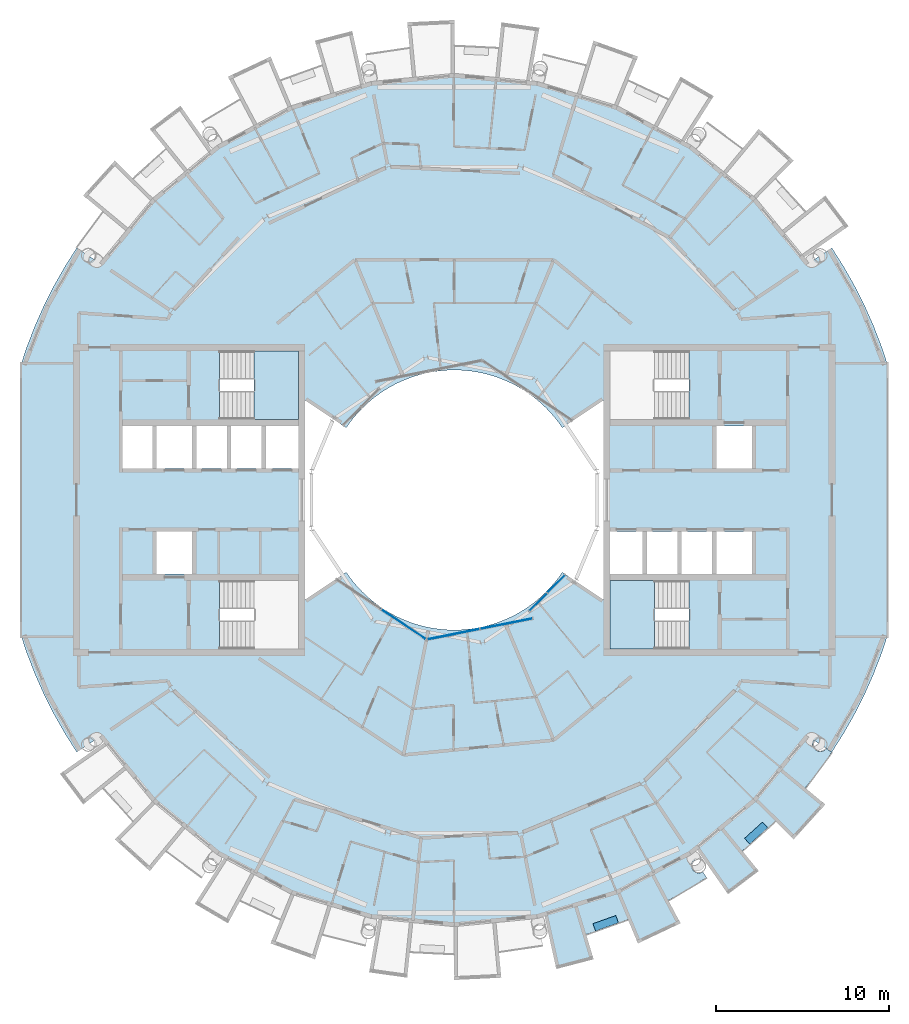
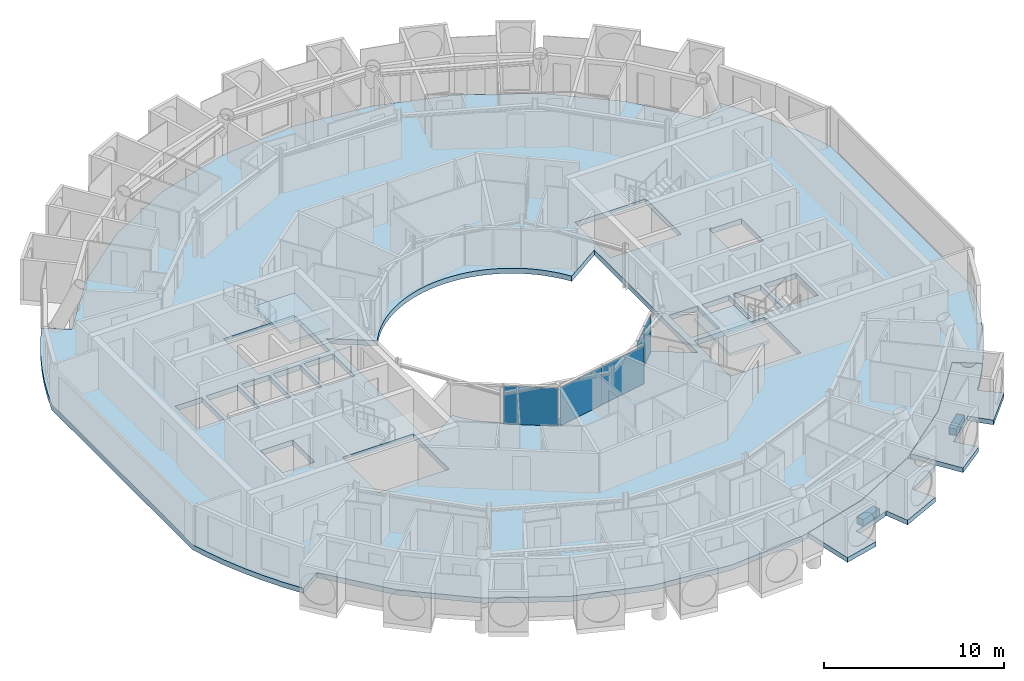
# One storey, part 11 of 27: 7 slabs, 5 plates, 5 elements without a shape of their own.
"""IFC4 building model written with IfcOpenShell, lengths in metres."""

import ifcopenshell
import ifcopenshell.guid

model = None  # the IFC model being written
_history = None  # IfcOwnerHistory: only IFC2X3 demands one
_inside = {}  # id of a spatial element -> (the spatial element, [elements in it])
_under = {}  # id of a project, library or spatial element -> (it, [spatial elements below it])
_declared = {}  # id of a project -> (the project, [libraries it declares])
_typed = {}  # id of a type object -> (the type object, [elements of that type])
_made_of = {}  # id of a material, layer set ... -> (it, [elements and type objects made of it])


def new_model(schema):
    """Start an empty IFC model of exactly this schema.

    Asked for "IFC4X3", IfcOpenShell would pick the latest addendum, in which some entities
    have other attributes; the version numbers below select the first issue.
    IFC2X3 requires an IfcOwnerHistory on every rooted entity: one is made here for all.
    """
    global model, _history
    if schema == "IFC4X3":
        model = ifcopenshell.file(schema_version=(4, 3, 0, 0))
    else:
        model = ifcopenshell.file(schema=schema)
    _inside.clear()
    _under.clear()
    _declared.clear()
    _typed.clear()
    _made_of.clear()
    _history = None
    if model.schema == "IFC2X3":
        org = make("IfcOrganization", Name="unknown")
        user = make(
            "IfcPersonAndOrganization",
            ThePerson=make("IfcPerson", FamilyName="unknown"),
            TheOrganization=org,
        )
        app = make(
            "IfcApplication",
            ApplicationDeveloper=org,
            Version="unknown",
            ApplicationFullName="unknown",
            ApplicationIdentifier="unknown",
        )
        _history = make(
            "IfcOwnerHistory",
            OwningUser=user,
            OwningApplication=app,
            ChangeAction="ADDED",
            CreationDate=0,
        )
    return model


def make(cls, **values):
    """One entity of the class cls with the attributes given. An attribute that is None is left unset."""
    return model.create_entity(
        cls, **{name: value for name, value in values.items() if value is not None}
    )


def rooted(cls, **values):
    """An entity with a GlobalId (a new one), such as an element, a storey or a relation."""
    return make(cls, GlobalId=ifcopenshell.guid.new(), OwnerHistory=_history, **values)


def si_unit(unit_type, name, prefix=None):
    """IfcSIUnit, for example si_unit("LENGTHUNIT", "METRE", prefix="MILLI")."""
    return make("IfcSIUnit", UnitType=unit_type, Prefix=prefix, Name=name)


def assignment(units):
    """IfcUnitAssignment: the units of a project."""
    return None if units is None else make("IfcUnitAssignment", Units=units)


def point(xyz):
    """IfcCartesianPoint."""
    return None if xyz is None else make("IfcCartesianPoint", Coordinates=xyz)


def direction(xyz):
    """IfcDirection."""
    return None if xyz is None else make("IfcDirection", DirectionRatios=xyz)


def frame(location, z_axis=None, x_axis=None):
    """IfcAxis2Placement3D, a coordinate frame: its origin and axes. An axis left out is left unset."""
    return make(
        "IfcAxis2Placement3D",
        Location=point(location),
        Axis=direction(z_axis),
        RefDirection=direction(x_axis),
    )


def frame_2d(location, x_axis=None):
    """IfcAxis2Placement2D, a coordinate frame in the plane: its origin and x axis."""
    return make(
        "IfcAxis2Placement2D", Location=point(location), RefDirection=direction(x_axis)
    )


def origin():
    """The frame at (0, 0, 0) with its axes left unset."""
    return frame((0.0, 0.0, 0.0))


def origin_2d():
    """The frame at (0, 0) in the plane with its x axis left unset."""
    return frame_2d((0.0, 0.0))


def place(relative_to, where):
    """IfcLocalPlacement: puts the frame where relative to a parent placement (None: the world)."""
    return make(
        "IfcLocalPlacement", PlacementRelTo=relative_to, RelativePlacement=where
    )


def context(
    kind, dimensions, precision=None, world=None, true_north=None, identifier=None
):
    """IfcGeometricRepresentationContext, for example the 3D "Model" context."""
    return make(
        "IfcGeometricRepresentationContext",
        ContextIdentifier=identifier,
        ContextType=kind,
        CoordinateSpaceDimension=dimensions,
        Precision=precision,
        WorldCoordinateSystem=world,
        TrueNorth=true_north,
    )


def subcontext(parent, identifier, kind, view, scale=None):
    """IfcGeometricRepresentationSubContext, for example "Body" below "Model"."""
    return make(
        "IfcGeometricRepresentationSubContext",
        ContextIdentifier=identifier,
        ContextType=kind,
        ParentContext=parent,
        TargetScale=scale,
        TargetView=view,
    )


def project(units=None, contexts=None):
    """IfcProject with its units and contexts."""
    return rooted(
        "IfcProject",
        Name="project",
        RepresentationContexts=contexts,
        UnitsInContext=assignment(units),
    )


def spatial(cls, under=None, at=None, **own):
    """A site, building, storey or space (cls), placed at a placement, below another one or the project."""
    s = rooted(cls, ObjectPlacement=at, **own)
    if under is not None:
        _under.setdefault(under.id(), (under, []))[1].append(s)
    return s


def polyline(points):
    """IfcPolyline through the points."""
    return make("IfcPolyline", Points=[point(p) for p in points])


def profile(cls, at=None, kind="AREA", **sizes):
    """A parametric profile (cls). Its sizes go by their IFC names, for example OverallWidth=200.0."""
    return make(cls, ProfileType=kind, Position=at, **sizes)


def rectangle(**sizes):
    """IfcRectangleProfileDef."""
    return profile("IfcRectangleProfileDef", **sizes)


def outline(outer, holes=None, kind="AREA"):
    """IfcArbitraryClosedProfileDef: a profile drawn as a closed curve; with holes, ...WithVoids."""
    if holes is None:
        return make("IfcArbitraryClosedProfileDef", ProfileType=kind, OuterCurve=outer)
    return make(
        "IfcArbitraryProfileDefWithVoids",
        ProfileType=kind,
        OuterCurve=outer,
        InnerCurves=holes,
    )


def extrude(swept, where, along, depth):
    """IfcExtrudedAreaSolid: the profile swept, set in the frame where, extruded along a direction by depth."""
    return make(
        "IfcExtrudedAreaSolid",
        SweptArea=swept,
        Position=where,
        ExtrudedDirection=direction(along),
        Depth=depth,
    )


def shape(context_of_items, identifier, shape_type, items):
    """IfcShapeRepresentation: the items that make up one representation, for example the "Body"."""
    return make(
        "IfcShapeRepresentation",
        ContextOfItems=context_of_items,
        RepresentationIdentifier=identifier,
        RepresentationType=shape_type,
        Items=items,
    )


def material(Name=None, Category=None):
    """IfcMaterial."""
    return make("IfcMaterial", Name=Name, Category=Category)


def layer(
    of_material, thickness, ventilated=None, Name=None, Category=None, Priority=None
):
    """IfcMaterialLayer: one layer of a wall or slab, of a material (None: an air gap)."""
    return make(
        "IfcMaterialLayer",
        Material=of_material,
        LayerThickness=thickness,
        IsVentilated=ventilated,
        Name=Name,
        Category=Category,
        Priority=Priority,
    )


def layer_set(layers, Name=None):
    """IfcMaterialLayerSet."""
    return make("IfcMaterialLayerSet", MaterialLayers=layers, LayerSetName=Name)


def made_of(thing, what):
    """Note that an element or type object is made of a material, layer set ...; save() writes the relation."""
    if what is not None:
        _made_of.setdefault(what.id(), (what, []))[1].append(thing)
    return thing


def type_object(cls, material=None, **own):
    """A type object (cls), such as IfcWallType, which elements share."""
    return made_of(rooted(cls, **own), material)


def element(
    cls,
    number,
    at=None,
    inside=None,
    cuts=None,
    type_object=None,
    material=None,
    context=None,
    identifier="Body",
    shape_type=None,
    held_by="IfcProductDefinitionShape",
    body=None,
    shapes=None,
    **own,
):
    """One element of the class cls, such as IfcWall. Its Tag is "e" and its number.

    at: its placement. inside: the storey or other place that contains it. cuts: it is an
    opening in that element (IfcRelVoidsElement). A single representation is given by context,
    identifier, shape_type and body (its items); several are given by shapes. held_by: the class
    of the entity that holds the representations. save() writes the other relations.
    """
    e = rooted(cls, Tag="e%d" % number, ObjectPlacement=at, **own)
    if body is not None:
        shapes = [shape(context, identifier, shape_type, body)]
    if shapes is not None:
        e.Representation = make(held_by, Representations=shapes)
    if inside is not None:
        _inside.setdefault(inside.id(), (inside, []))[1].append(e)
    if cuts is not None:
        rooted(
            "IfcRelVoidsElement", RelatingBuildingElement=cuts, RelatedOpeningElement=e
        )
    if type_object is not None:
        _typed.setdefault(type_object.id(), (type_object, []))[1].append(e)
    return made_of(e, material)


def aggregate(whole, parts):
    """IfcRelAggregates: a whole, such as a stair, and the parts it consists of."""
    return rooted("IfcRelAggregates", RelatingObject=whole, RelatedObjects=parts)


def save(model, path):
    """Write the relations noted so far, then the file.

    IfcRelAggregates (storeys below a building ...), IfcRelContainedInSpatialStructure (elements
    in a storey), IfcRelDefinesByType, IfcRelAssociatesMaterial and IfcRelDeclares: one each for
    every whole, place, type object, material and project.
    """
    for whole, parts in _under.values():
        aggregate(whole, parts)
    for where, things in _inside.values():
        rooted(
            "IfcRelContainedInSpatialStructure",
            RelatedElements=things,
            RelatingStructure=where,
        )
    for kind, things in _typed.values():
        rooted("IfcRelDefinesByType", RelatedObjects=things, RelatingType=kind)
    for what, things in _made_of.values():
        rooted("IfcRelAssociatesMaterial", RelatedObjects=things, RelatingMaterial=what)
    for by, libraries in _declared.values():
        rooted("IfcRelDeclares", RelatingContext=by, RelatedDefinitions=libraries)
    model.write(path)


model = new_model("IFC4")

# Units and contexts
model_context = context("Model", 3, precision=1e-05, world=origin(), true_north=direction((0.0, 1.0)))
body_context = subcontext(model_context, "Body", "Model", "MODEL_VIEW")
ifc_project = project(units=[si_unit("LENGTHUNIT", "METRE"), si_unit("AREAUNIT", "SQUARE_METRE"), si_unit("VOLUMEUNIT", "CUBIC_METRE"), si_unit("PLANEANGLEUNIT", "RADIAN"), si_unit("MASSUNIT", "GRAM", prefix="KILO")], contexts=[model_context])

# Site, building, storey
site_placement = place(None, origin())
site = spatial("IfcSite", under=ifc_project, at=site_placement, CompositionType="ELEMENT")
building_placement = place(site_placement, origin())
building = spatial("IfcBuilding", under=site, at=building_placement, Name="Maasbend Ring Residences", CompositionType="ELEMENT")
storey_placement = place(building_placement, frame((0.0, 0.0, 243.199951171875)))
storey = spatial("IfcBuildingStorey", under=building, at=storey_placement, Name="L70", CompositionType="ELEMENT", Elevation=243.199951171875)

# Stair, slab
ifc_material_1 = material(Name="Concrete C40/50", Category="concrete")
stair_type = type_object("IfcStairType", Name="CORE STAIR 18 RISERS", PredefinedType="HALF_TURN_STAIR", material=ifc_material_1)
stair_1_placement = place(storey_placement, origin())
stair_1 = element("IfcStair", 1, at=stair_1_placement, inside=storey, type_object=stair_type, Name="L70 Exit stair ST-E2", PredefinedType="HALF_TURN_STAIR")
ifc_material_2 = material(Name="Concrete C40/50", Category="concrete")
ifc_layer_1 = layer(ifc_material_2, 0.199951171875)
ifc_layer_set_1 = layer_set([ifc_layer_1], Name="Concrete C40/50")
slab_type_1 = type_object("IfcSlabType", Name="CORE STAIR LANDING 200", PredefinedType="LANDING", material=ifc_layer_set_1)
slab_1_placement = place(storey_placement, frame((0.0, 0.0, 1.324951171875)))
slab_1 = element("IfcSlab", 2, at=slab_1_placement, type_object=slab_type_1, Name="ST-E2 landing 1", PredefinedType="LANDING", context=body_context, shape_type="SweptSolid", body=[
    extrude(outline(polyline([(11.550048828125, -4.64990234375), (9.0, -4.64990234375), (9.0, -8.60009765625), (11.550048828125, -8.60009765625), (11.550048828125, -4.64990234375)])), origin(), (0.0, 0.0, 1.0), 0.2001953125),
])
aggregate(stair_1, [slab_1])

stair_2_placement = place(storey_placement, origin())
stair_2 = element("IfcStair", 3, at=stair_2_placement, inside=storey, type_object=stair_type, Name="L70 Exit stair ST-W2", PredefinedType="HALF_TURN_STAIR")
slab_2_placement = place(storey_placement, frame((0.0, 0.0, 1.324951171875)))
slab_2 = element("IfcSlab", 4, at=slab_2_placement, type_object=slab_type_1, Name="ST-W2 landing 1", PredefinedType="LANDING", context=body_context, shape_type="SweptSolid", body=[
    extrude(outline(polyline([(-11.550048828125, 4.64990234375), (-9.0, 4.64990234375), (-9.0, 8.60009765625), (-11.550048828125, 8.60009765625), (-11.550048828125, 4.64990234375)])), origin(), (0.0, 0.0, 1.0), 0.2001953125),
])
aggregate(stair_2, [slab_2])

# Curtain wall, plate
ifc_material_3 = material(Name="Aluminium and clear glass", Category="aluminium")
ifc_layer_2 = layer(ifc_material_3, 0.179931640625)
ifc_layer_set_2 = layer_set([ifc_layer_2], Name="CW-W")
curtain_wall_type = type_object("IfcCurtainWallType", Name="CW-W", PredefinedType="NOTDEFINED", material=ifc_layer_set_2)
curtain_wall_1_placement = place(storey_placement, origin())
curtain_wall_1 = element("IfcCurtainWall", 5, at=curtain_wall_1_placement, inside=storey, type_object=curtain_wall_type, Name="Well curtain wall S1", PredefinedType="NOTDEFINED")
ifc_material_4 = material(Name="Glass clear laminated", Category="glass")
ifc_layer_3 = layer(ifc_material_4, 0.031982421875)
ifc_layer_set_3 = layer_set([ifc_layer_3], Name="CWP-W")
plate_type = type_object("IfcPlateType", Name="CWP-W", PredefinedType="CURTAIN_PANEL", material=ifc_layer_set_3)
plate_1_placement = place(storey_placement, frame((-2.922119140625, -7.17578125, 0.0), z_axis=(0.0, 0.0, 1.0), x_axis=(0.831469612303, -0.55557023302, 0.0)))
plate_1 = element("IfcPlate", 6, at=plate_1_placement, type_object=plate_type, Name="Glass panel well face", PredefinedType="CURTAIN_PANEL", context=body_context, shape_type="SweptSolid", body=[
    extrude(rectangle(XDim=3.053955078125, YDim=0.031982421875, at=origin_2d()), origin(), (0.0, 0.0, 1.0), 2.580078125),
])
aggregate(curtain_wall_1, [plate_1])

# Curtain wall, plates
curtain_wall_2_placement = place(storey_placement, origin())
curtain_wall_2 = element("IfcCurtainWall", 7, at=curtain_wall_2_placement, inside=storey, type_object=curtain_wall_type, Name="Well curtain wall S2", PredefinedType="NOTDEFINED")
plate_2_placement = place(storey_placement, frame((-0.04638671875, -7.747802734375, 0.0), z_axis=(0.0, 0.0, 1.0), x_axis=(0.980785280403, 0.195090322016, 0.0)))
plate_2 = element("IfcPlate", 8, at=plate_2_placement, type_object=plate_type, Name="Glass panel well face", PredefinedType="CURTAIN_PANEL", context=body_context, shape_type="SweptSolid", body=[
    extrude(rectangle(XDim=3.053955078125, YDim=0.031982421875, at=origin_2d()), origin(), (0.0, 0.0, 1.0), 2.580078125),
])
plate_3_placement = place(storey_placement, frame((3.0078125, -7.140380859375, 0.0), z_axis=(0.0, 0.0, 1.0), x_axis=(0.980785280403, 0.195090322016, 0.0)))
plate_3 = element("IfcPlate", 9, at=plate_3_placement, type_object=plate_type, Name="Glass panel well face", PredefinedType="CURTAIN_PANEL", context=body_context, shape_type="SweptSolid", body=[
    extrude(rectangle(XDim=3.053955078125, YDim=0.031982421875, at=origin_2d()), origin(), (0.0, 0.0, 1.0), 2.580078125),
])
aggregate(curtain_wall_2, [plate_2, plate_3])

curtain_wall_3_placement = place(storey_placement, origin())
curtain_wall_3 = element("IfcCurtainWall", 10, at=curtain_wall_3_placement, inside=storey, type_object=curtain_wall_type, Name="Well curtain wall S3", PredefinedType="NOTDEFINED")
plate_4_placement = place(storey_placement, frame((4.84375, -5.89013671875, 0.0), z_axis=(0.0, 0.0, 1.0), x_axis=(0.707106781187, 0.707106781187, 0.0)))
plate_4 = element("IfcPlate", 11, at=plate_4_placement, type_object=plate_type, Name="Glass panel well face", PredefinedType="CURTAIN_PANEL", context=body_context, shape_type="SweptSolid", body=[
    extrude(rectangle(XDim=1.419677734375, YDim=0.031982421875, at=origin_2d()), origin(), (0.0, 0.0, 1.0), 2.580078125),
])
plate_5_placement = place(storey_placement, frame((5.89013671875, -4.84375, 0.0), z_axis=(0.0, 0.0, 1.0), x_axis=(0.707106781187, 0.707106781187, 0.0)))
plate_5 = element("IfcPlate", 12, at=plate_5_placement, type_object=plate_type, Name="Glass panel well face", PredefinedType="CURTAIN_PANEL", context=body_context, shape_type="SweptSolid", body=[
    extrude(rectangle(XDim=1.419677734375, YDim=0.031982421875, at=origin_2d()), origin(), (0.0, 0.0, 1.0), 2.580078125),
])
aggregate(curtain_wall_3, [plate_4, plate_5])

# Slabs
ifc_material_5 = material(Name="Planting with climbing greenery")
ifc_layer_4 = layer(ifc_material_5, 0.449951171875)
ifc_layer_set_4 = layer_set([ifc_layer_4], Name="PLANTER-LG")
slab_type_2 = type_object("IfcSlabType", Name="PLANTER-LG", PredefinedType="USERDEFINED", material=ifc_layer_set_4)
slab_3_placement = place(storey_placement, frame((0.0, 0.0, -0.030029296875)))
element("IfcSlab", 13, at=slab_3_placement, inside=storey, type_object=slab_type_2, Name="Planter with climbing greenery 4", ObjectType="PLANTER", PredefinedType="USERDEFINED", context=body_context, shape_type="SweptSolid", body=[
    extrude(outline(polyline([(8.156982421875, -24.875), (9.47509765625, -24.403076171875), (9.322998046875, -23.97900390625), (8.0048828125, -24.450927734375), (8.156982421875, -24.875)])), origin(), (0.0, 0.0, 1.0), 0.4501953125),
])
slab_4_placement = place(storey_placement, frame((0.0, 0.0, -0.030029296875)))
element("IfcSlab", 14, at=slab_4_placement, inside=storey, type_object=slab_type_2, Name="Planter with climbing greenery 5", ObjectType="PLANTER", PredefinedType="USERDEFINED", context=body_context, shape_type="SweptSolid", body=[
    extrude(outline(polyline([(17.054931640625, -19.860107421875), (18.092041015625, -18.9189453125), (17.7900390625, -18.5859375), (16.7529296875, -19.52587890625), (17.054931640625, -19.860107421875)])), origin(), (0.0, 0.0, 1.0), 0.4501953125),
])
ifc_material_6 = material(Name="Concrete C40/50", Category="concrete")
ifc_layer_5 = layer(ifc_material_6, 0.35009765625)
ifc_layer_set_5 = layer_set([ifc_layer_5], Name="Concrete C40/50")
slab_type_3 = type_object("IfcSlabType", Name="Post-tensioned flat plate 350", PredefinedType="FLOOR", material=ifc_layer_set_5)
slab_5_placement = place(storey_placement, frame((0.0, 0.0, -0.349853515625)))
element("IfcSlab", 15, at=slab_5_placement, inside=storey, type_object=slab_type_3, Name="Floor slab L70", PredefinedType="FLOOR", context=body_context, shape_type="SweptSolid", body=[
    extrude(outline(polyline([(21.784423828125, -14.555908203125), (22.472412109375, -13.469482421875), (23.106201171875, -12.3505859375), (23.6845703125, -11.201904296875), (24.20556640625, -10.0263671875), (24.66845703125, -8.826416015625), (25.0, -7.822998046875), (25.0, 7.822998046875), (24.66845703125, 8.826416015625), (24.20556640625, 10.0263671875), (23.6845703125, 11.201904296875), (23.106201171875, 12.3505859375), (22.472412109375, 13.469482421875), (21.784423828125, 14.555908203125), (20.37109375, 13.611572265625), (17.32421875, 17.32421875), (13.611572265625, 20.37109375), (9.375732421875, 22.635009765625), (4.77978515625, 24.029296875), (0.0, 24.5), (-4.77978515625, 24.029296875), (-9.375732421875, 22.635009765625), (-13.611572265625, 20.37109375), (-17.32421875, 17.32421875), (-20.37109375, 13.611572265625), (-21.784423828125, 14.555908203125), (-22.472412109375, 13.469482421875), (-23.106201171875, 12.3505859375), (-23.6845703125, 11.201904296875), (-24.20556640625, 10.0263671875), (-24.66845703125, 8.826416015625), (-25.0, 7.822998046875), (-25.0, -7.822998046875), (-24.66845703125, -8.826416015625), (-24.20556640625, -10.0263671875), (-23.6845703125, -11.201904296875), (-23.106201171875, -12.3505859375), (-22.472412109375, -13.469482421875), (-21.784423828125, -14.555908203125), (-20.37109375, -13.611572265625), (-17.32421875, -17.32421875), (-13.611572265625, -20.37109375), (-13.611572265625, -20.37109375), (-9.375732421875, -22.635009765625), (-9.375732421875, -22.635009765625), (-4.77978515625, -24.029296875), (-4.77978515625, -24.029296875), (0.0, -24.5), (4.77978515625, -24.029296875), (4.77978515625, -24.029296875), (9.375732421875, -22.635009765625), (9.375732421875, -22.635009765625), (13.611572265625, -20.37109375), (13.611572265625, -20.37109375), (17.32421875, -17.32421875), (17.32421875, -17.32421875), (20.37109375, -13.611572265625), (21.784423828125, -14.555908203125)]), holes=[polyline([(15.125, 1.824951171875), (15.125, 4.27490234375), (17.175048828125, 4.27490234375), (17.175048828125, 1.824951171875), (15.125, 1.824951171875)]), polyline([(15.125, -4.27490234375), (15.125, -1.824951171875), (17.175048828125, -1.824951171875), (17.175048828125, -4.27490234375), (15.125, -4.27490234375)]), polyline([(13.125, -4.27490234375), (13.125, -1.824951171875), (14.875, -1.824951171875), (14.875, -4.27490234375), (13.125, -4.27490234375)]), polyline([(13.550048828125, 8.60009765625), (13.550048828125, 4.64990234375), (9.0, 4.64990234375), (9.0, 8.60009765625), (13.550048828125, 8.60009765625)]), polyline([(13.550048828125, -4.64990234375), (13.550048828125, -8.60009765625), (9.0, -8.60009765625), (9.0, -4.64990234375), (13.550048828125, -4.64990234375)]), polyline([(11.125, -4.27490234375), (11.125, -1.824951171875), (12.875, -1.824951171875), (12.875, -4.27490234375), (11.125, -4.27490234375)]), polyline([(9.0, -4.27490234375), (9.0, -1.824951171875), (10.875, -1.824951171875), (10.875, -4.27490234375), (9.0, -4.27490234375)]), polyline([(6.024169921875, 4.4677734375), (6.236083984375, 4.166748046875), (8.60009765625, 5.746337890625), (8.60009765625, -5.746337890625), (6.236083984375, -4.166748046875), (6.024169921875, -4.4677734375), (5.797607421875, -4.7578125), (5.55712890625, -5.03662109375), (5.30322265625, -5.30322265625), (5.03662109375, -5.55712890625), (4.7578125, -5.797607421875), (4.4677734375, -6.024169921875), (4.166748046875, -6.236083984375), (3.855712890625, -6.43310546875), (3.535400390625, -6.614501953125), (3.206787109375, -6.77978515625), (2.8701171875, -6.92919921875), (2.526611328125, -7.0615234375), (2.177001953125, -7.177001953125), (1.822509765625, -7.275146484375), (1.463134765625, -7.35595703125), (1.1005859375, -7.418701171875), (0.735107421875, -7.4638671875), (0.367919921875, -7.490966796875), (0.0, -7.5), (-0.367919921875, -7.490966796875), (-0.735107421875, -7.4638671875), (-1.1005859375, -7.418701171875), (-1.463134765625, -7.35595703125), (-1.822509765625, -7.275146484375), (-2.177001953125, -7.177001953125), (-2.526611328125, -7.0615234375), (-2.8701171875, -6.92919921875), (-3.206787109375, -6.77978515625), (-3.535400390625, -6.614501953125), (-3.855712890625, -6.43310546875), (-4.166748046875, -6.236083984375), (-4.4677734375, -6.024169921875), (-4.7578125, -5.797607421875), (-5.03662109375, -5.55712890625), (-5.30322265625, -5.30322265625), (-5.55712890625, -5.03662109375), (-5.797607421875, -4.7578125), (-6.024169921875, -4.4677734375), (-6.236083984375, -4.166748046875), (-8.60009765625, -5.746337890625), (-8.60009765625, 5.746337890625), (-6.236083984375, 4.166748046875), (-6.024169921875, 4.4677734375), (-5.797607421875, 4.7578125), (-5.55712890625, 5.03662109375), (-5.30322265625, 5.30322265625), (-5.03662109375, 5.55712890625), (-4.7578125, 5.797607421875), (-4.4677734375, 6.024169921875), (-4.166748046875, 6.236083984375), (-3.855712890625, 6.43310546875), (-3.535400390625, 6.614501953125), (-3.206787109375, 6.77978515625), (-2.8701171875, 6.92919921875), (-2.526611328125, 7.0615234375), (-2.177001953125, 7.177001953125), (-1.822509765625, 7.275146484375), (-1.463134765625, 7.35595703125), (-1.1005859375, 7.418701171875), (-0.735107421875, 7.4638671875), (-0.367919921875, 7.490966796875), (0.0, 7.5), (0.367919921875, 7.490966796875), (0.735107421875, 7.4638671875), (1.1005859375, 7.418701171875), (1.463134765625, 7.35595703125), (1.822509765625, 7.275146484375), (2.177001953125, 7.177001953125), (2.526611328125, 7.0615234375), (2.8701171875, 6.92919921875), (3.206787109375, 6.77978515625), (3.535400390625, 6.614501953125), (3.855712890625, 6.43310546875), (4.166748046875, 6.236083984375), (4.4677734375, 6.024169921875), (4.7578125, 5.797607421875), (5.03662109375, 5.55712890625), (5.30322265625, 5.30322265625), (5.55712890625, 5.03662109375), (5.797607421875, 4.7578125), (6.024169921875, 4.4677734375)]), polyline([(-13.550048828125, 4.64990234375), (-13.550048828125, 8.60009765625), (-9.0, 8.60009765625), (-9.0, 4.64990234375), (-13.550048828125, 4.64990234375)]), polyline([(-9.0, -8.60009765625), (-13.550048828125, -8.60009765625), (-13.550048828125, -4.64990234375), (-9.0, -4.64990234375), (-9.0, -8.60009765625)]), polyline([(-9.0, 4.27490234375), (-9.0, 1.824951171875), (-10.875, 1.824951171875), (-10.875, 4.27490234375), (-9.0, 4.27490234375)]), polyline([(-11.125, 4.27490234375), (-11.125, 1.824951171875), (-12.875, 1.824951171875), (-12.875, 4.27490234375), (-11.125, 4.27490234375)]), polyline([(-13.125, 4.27490234375), (-13.125, 1.824951171875), (-14.875, 1.824951171875), (-14.875, 4.27490234375), (-13.125, 4.27490234375)]), polyline([(-15.125, 4.27490234375), (-15.125, 1.824951171875), (-17.175048828125, 1.824951171875), (-17.175048828125, 4.27490234375), (-15.125, 4.27490234375)]), polyline([(-15.125, -1.824951171875), (-15.125, -4.27490234375), (-17.175048828125, -4.27490234375), (-17.175048828125, -1.824951171875), (-15.125, -1.824951171875)]), polyline([(-17.425048828125, 4.27490234375), (-17.425048828125, 1.824951171875), (-19.14990234375, 1.824951171875), (-19.14990234375, 4.27490234375), (-17.425048828125, 4.27490234375)])]), origin(), (0.0, 0.0, 1.0), 0.349853515625),
])
ifc_material_7 = material(Name="Concrete C40/50", Category="concrete")
ifc_layer_6 = layer(ifc_material_7, 0.199951171875)
ifc_layer_set_6 = layer_set([ifc_layer_6], Name="Concrete C40/50")
slab_type_4 = type_object("IfcSlabType", Name="SL-LOGGIA", PredefinedType="FLOOR", material=ifc_layer_set_6)
slab_6_placement = place(storey_placement, frame((0.0, 0.0, -0.349853515625)))
element("IfcSlab", 16, at=slab_6_placement, inside=storey, type_object=slab_type_4, Name="Loggia floor 1", PredefinedType="FLOOR", context=body_context, shape_type="SweptSolid", body=[
    extrude(outline(polyline([(9.3759765625, -22.635009765625), (11.493896484375, -21.5029296875), (13.611083984375, -20.37109375), (13.611083984375, -20.37109375), (13.611083984375, -20.37109375), (13.885986328125, -20.781005859375), (13.876953125, -20.787109375), (13.868896484375, -20.79296875), (13.861083984375, -20.799072265625), (13.85400390625, -20.804931640625), (13.845947265625, -20.81103515625), (13.839111328125, -20.818115234375), (13.8310546875, -20.824951171875), (13.823974609375, -20.83203125), (13.81689453125, -20.839111328125), (13.81005859375, -20.845947265625), (13.803955078125, -20.85400390625), (13.797119140625, -20.861083984375), (13.791015625, -20.868896484375), (13.784912109375, -20.876953125), (13.779052734375, -20.885009765625), (13.77392578125, -20.89306640625), (13.76806640625, -20.902099609375), (13.762939453125, -20.909912109375), (13.758056640625, -20.9189453125), (13.7529296875, -20.927978515625), (13.748046875, -20.93701171875), (13.743896484375, -20.945068359375), (13.739990234375, -20.955078125), (13.736083984375, -20.964111328125), (13.73193359375, -20.972900390625), (13.72900390625, -20.98193359375), (13.72607421875, -20.991943359375), (13.722900390625, -21.0009765625), (13.719970703125, -21.010986328125), (13.717041015625, -21.02099609375), (13.715087890625, -21.030029296875), (13.712890625, -21.0400390625), (13.7109375, -21.050048828125), (13.708984375, -21.06005859375), (13.7080078125, -21.070068359375), (13.70703125, -21.0791015625), (13.7060546875, -21.089111328125), (13.705078125, -21.09912109375), (13.705078125, -21.10888671875), (13.705078125, -21.118896484375), (13.705078125, -21.12890625), (13.705078125, -21.138916015625), (13.7060546875, -21.14892578125), (13.70703125, -21.158935546875), (13.7080078125, -21.1689453125), (13.708984375, -21.178955078125), (13.7109375, -21.18896484375), (13.712890625, -21.198974609375), (13.715087890625, -21.2080078125), (13.717041015625, -21.218017578125), (13.719970703125, -21.22802734375), (13.722900390625, -21.237060546875), (13.72607421875, -21.2470703125), (13.72900390625, -21.256103515625), (13.73193359375, -21.26611328125), (13.736083984375, -21.27490234375), (13.739990234375, -21.283935546875), (13.743896484375, -21.29296875), (13.748046875, -21.302001953125), (13.7529296875, -21.31103515625), (13.758056640625, -21.320068359375), (13.762939453125, -21.327880859375), (13.76806640625, -21.3369140625), (13.77392578125, -21.344970703125), (13.779052734375, -21.35302734375), (13.784912109375, -21.361083984375), (13.791015625, -21.368896484375), (13.797119140625, -21.376953125), (13.803955078125, -21.385009765625), (13.81005859375, -21.39208984375), (13.81689453125, -21.39990234375), (13.823974609375, -21.406982421875), (13.8310546875, -21.4140625), (13.839111328125, -21.419921875), (13.845947265625, -21.427001953125), (13.85400390625, -21.43408203125), (13.861083984375, -21.43994140625), (13.868896484375, -21.446044921875), (13.876953125, -21.451904296875), (13.885986328125, -21.45703125), (13.89404296875, -21.462890625), (13.903076171875, -21.468017578125), (13.910888671875, -21.472900390625), (13.919921875, -21.47802734375), (13.928955078125, -21.48193359375), (13.93798828125, -21.487060546875), (13.947021484375, -21.490966796875), (13.9560546875, -21.4951171875), (13.965087890625, -21.4990234375), (13.97509765625, -21.501953125), (13.98388671875, -21.5048828125), (13.992919921875, -21.508056640625), (14.0029296875, -21.510986328125), (14.012939453125, -21.513916015625), (14.02197265625, -21.51611328125), (14.031982421875, -21.51806640625), (14.0419921875, -21.52001953125), (14.052001953125, -21.52099609375), (14.06201171875, -21.52294921875), (14.072021484375, -21.52392578125), (14.08203125, -21.52490234375), (14.092041015625, -21.52490234375), (14.10205078125, -21.52587890625), (14.111083984375, -21.52587890625), (14.12109375, -21.52587890625), (14.131103515625, -21.52490234375), (14.14111328125, -21.52490234375), (14.15087890625, -21.52392578125), (14.160888671875, -21.52294921875), (14.1708984375, -21.52099609375), (14.180908203125, -21.52001953125), (14.19091796875, -21.51806640625), (14.200927734375, -21.51611328125), (14.2099609375, -21.513916015625), (14.219970703125, -21.510986328125), (14.22998046875, -21.508056640625), (14.239013671875, -21.5048828125), (14.248046875, -21.501953125), (14.258056640625, -21.4990234375), (14.26708984375, -21.4951171875), (14.27587890625, -21.490966796875), (14.284912109375, -21.487060546875), (14.2939453125, -21.48193359375), (14.302978515625, -21.47802734375), (14.31201171875, -21.472900390625), (14.320068359375, -21.468017578125), (14.3291015625, -21.462890625), (14.3369140625, -21.45703125), (14.555908203125, -21.783935546875), (14.555908203125, -21.784912109375), (14.555908203125, -21.784912109375), (13.8349609375, -22.2490234375), (13.8349609375, -22.2490234375), (13.10009765625, -22.68994140625), (13.10009765625, -22.68994140625), (12.35107421875, -23.10595703125), (12.35107421875, -23.10595703125), (12.35107421875, -23.10595703125), (12.35107421875, -23.10595703125), (12.35107421875, -23.10595703125), (12.35107421875, -23.10595703125), (12.35107421875, -23.10595703125), (12.35107421875, -23.10595703125), (12.35107421875, -23.10595703125), (12.35107421875, -23.10595703125), (12.35107421875, -23.10595703125), (12.35107421875, -23.10693359375), (12.35107421875, -23.10693359375), (12.35107421875, -23.10693359375), (12.35107421875, -23.10693359375), (12.35107421875, -23.10693359375), (12.35107421875, -23.10693359375), (13.05810546875, -24.428955078125), (13.05810546875, -24.428955078125), (13.05810546875, -24.428955078125), (10.60009765625, -25.591064453125), (10.60009765625, -25.591064453125), (10.60009765625, -25.591064453125), (10.02587890625, -24.2060546875), (10.02587890625, -24.2060546875), (10.02587890625, -24.2060546875), (10.02587890625, -24.2060546875), (10.02587890625, -24.2060546875), (10.02587890625, -24.2060546875), (10.02587890625, -24.2060546875), (10.02587890625, -24.2060546875), (10.02587890625, -24.2060546875), (10.02587890625, -24.2060546875), (10.02587890625, -24.2060546875), (10.02587890625, -24.2060546875), (10.02587890625, -24.2060546875), (10.02587890625, -24.2060546875), (10.02587890625, -24.2060546875), (10.02587890625, -24.2060546875), (10.02587890625, -24.2060546875), (9.22900390625, -24.52099609375), (9.22900390625, -24.52099609375), (8.422119140625, -24.81005859375), (8.422119140625, -24.81005859375), (7.60595703125, -25.072021484375), (7.60595703125, -25.072021484375), (7.60595703125, -25.072021484375), (7.60595703125, -25.072021484375), (7.60595703125, -25.072021484375), (7.60595703125, -25.072021484375), (7.60595703125, -25.072021484375), (7.60595703125, -25.072021484375), (7.60595703125, -25.072021484375), (7.60595703125, -25.072021484375), (7.60595703125, -25.072021484375), (7.60595703125, -25.072021484375), (7.60595703125, -25.072021484375), (7.60595703125, -25.072021484375), (7.60595703125, -25.072021484375), (7.60595703125, -25.072021484375), (7.60595703125, -25.072021484375), (8.041015625, -26.507080078125), (8.041015625, -26.507080078125), (8.041015625, -26.507080078125), (5.89111328125, -27.06591796875), (5.89111328125, -27.06591796875), (5.89111328125, -27.06591796875), (5.201904296875, -23.90087890625), (5.201904296875, -23.90087890625), (5.201904296875, -23.90087890625), (7.077880859375, -23.33203125), (9.3759765625, -22.635009765625), (9.3759765625, -22.635009765625), (9.3759765625, -22.635009765625)])), origin(), (0.0, 0.0, 1.0), 0.31982421875),
])
slab_7_placement = place(storey_placement, frame((0.0, 0.0, -0.349853515625)))
element("IfcSlab", 17, at=slab_7_placement, inside=storey, type_object=slab_type_4, Name="Loggia floor 4", PredefinedType="FLOOR", context=body_context, shape_type="SweptSolid", body=[
    extrude(outline(polyline([(17.323974609375, -17.323974609375), (18.847900390625, -15.468017578125), (20.37109375, -13.611083984375), (20.781005859375, -13.885986328125), (20.77587890625, -13.89404296875), (20.77099609375, -13.903076171875), (20.76611328125, -13.910888671875), (20.760986328125, -13.919921875), (20.756103515625, -13.928955078125), (20.751953125, -13.93798828125), (20.748046875, -13.947021484375), (20.743896484375, -13.9560546875), (20.739990234375, -13.965087890625), (20.737060546875, -13.97509765625), (20.73291015625, -13.98388671875), (20.72998046875, -13.992919921875), (20.72802734375, -14.0029296875), (20.72509765625, -14.012939453125), (20.722900390625, -14.02197265625), (20.720947265625, -14.031982421875), (20.718994140625, -14.0419921875), (20.717041015625, -14.052001953125), (20.716064453125, -14.06201171875), (20.715087890625, -14.072021484375), (20.714111328125, -14.08203125), (20.712890625, -14.092041015625), (20.712890625, -14.10205078125), (20.712890625, -14.111083984375), (20.712890625, -14.12109375), (20.712890625, -14.131103515625), (20.714111328125, -14.14111328125), (20.715087890625, -14.15087890625), (20.716064453125, -14.160888671875), (20.717041015625, -14.1708984375), (20.718994140625, -14.180908203125), (20.720947265625, -14.19091796875), (20.722900390625, -14.200927734375), (20.72509765625, -14.2099609375), (20.72802734375, -14.219970703125), (20.72998046875, -14.22998046875), (20.73291015625, -14.239013671875), (20.737060546875, -14.248046875), (20.739990234375, -14.258056640625), (20.743896484375, -14.26708984375), (20.748046875, -14.27587890625), (20.751953125, -14.284912109375), (20.756103515625, -14.2939453125), (20.760986328125, -14.302978515625), (20.76611328125, -14.31201171875), (20.77099609375, -14.320068359375), (20.77587890625, -14.3291015625), (20.781005859375, -14.3369140625), (20.787109375, -14.345947265625), (20.79296875, -14.35400390625), (20.799072265625, -14.362060546875), (20.804931640625, -14.368896484375), (20.81103515625, -14.376953125), (20.818115234375, -14.384033203125), (20.824951171875, -14.39208984375), (20.83203125, -14.39892578125), (20.839111328125, -14.406005859375), (20.845947265625, -14.4130859375), (20.85400390625, -14.4189453125), (20.861083984375, -14.426025390625), (20.868896484375, -14.431884765625), (20.876953125, -14.43798828125), (20.885009765625, -14.444091796875), (20.89306640625, -14.448974609375), (20.902099609375, -14.455078125), (20.909912109375, -14.4599609375), (20.9189453125, -14.465087890625), (20.927978515625, -14.469970703125), (20.93701171875, -14.47509765625), (20.945068359375, -14.47900390625), (20.955078125, -14.48291015625), (20.964111328125, -14.487060546875), (20.972900390625, -14.490966796875), (20.98193359375, -14.493896484375), (20.991943359375, -14.4970703125), (21.0009765625, -14.5), (21.010986328125, -14.5029296875), (21.02099609375, -14.506103515625), (21.030029296875, -14.508056640625), (21.0400390625, -14.510009765625), (21.050048828125, -14.511962890625), (21.06005859375, -14.513916015625), (21.070068359375, -14.514892578125), (21.0791015625, -14.51611328125), (21.089111328125, -14.51708984375), (21.09912109375, -14.51806640625), (21.10888671875, -14.51806640625), (21.118896484375, -14.51806640625), (21.12890625, -14.51806640625), (21.138916015625, -14.51806640625), (21.14892578125, -14.51708984375), (21.158935546875, -14.51611328125), (21.1689453125, -14.514892578125), (21.178955078125, -14.513916015625), (21.18896484375, -14.511962890625), (21.198974609375, -14.510009765625), (21.2080078125, -14.508056640625), (21.218017578125, -14.506103515625), (21.22802734375, -14.5029296875), (21.237060546875, -14.5), (21.2470703125, -14.4970703125), (21.256103515625, -14.493896484375), (21.26611328125, -14.490966796875), (21.27490234375, -14.487060546875), (21.283935546875, -14.48291015625), (21.29296875, -14.47900390625), (21.302001953125, -14.47509765625), (21.31103515625, -14.469970703125), (21.320068359375, -14.465087890625), (21.327880859375, -14.4599609375), (21.3369140625, -14.455078125), (21.344970703125, -14.448974609375), (21.35302734375, -14.444091796875), (21.361083984375, -14.43798828125), (21.368896484375, -14.431884765625), (21.376953125, -14.426025390625), (21.385009765625, -14.4189453125), (21.39208984375, -14.4130859375), (21.39990234375, -14.406005859375), (21.406982421875, -14.39892578125), (21.4140625, -14.39208984375), (21.419921875, -14.384033203125), (21.427001953125, -14.376953125), (21.43408203125, -14.368896484375), (21.43994140625, -14.362060546875), (21.446044921875, -14.35400390625), (21.451904296875, -14.345947265625), (21.45703125, -14.3369140625), (21.783935546875, -14.555908203125), (21.297119140625, -15.260986328125), (20.785888671875, -15.949951171875), (20.2529296875, -16.62109375), (20.2529296875, -16.62109375), (20.2529296875, -16.62109375), (20.2529296875, -16.62109375), (20.2529296875, -16.62109375), (20.2529296875, -16.62109375), (20.2529296875, -16.62109375), (20.2529296875, -16.62109375), (20.2529296875, -16.62109375), (20.2529296875, -16.62109375), (20.2529296875, -16.62109375), (20.2529296875, -16.62109375), (20.2529296875, -16.62109375), (20.2529296875, -16.62109375), (20.2529296875, -16.62109375), (20.2529296875, -16.62109375), (20.2529296875, -16.62109375), (21.412109375, -17.572998046875), (19.5869140625, -19.5869140625), (18.527099609375, -18.527099609375), (18.527099609375, -18.527099609375), (18.52587890625, -18.52587890625), (18.52587890625, -18.52587890625), (18.52587890625, -18.52587890625), (18.52587890625, -18.52587890625), (18.52587890625, -18.52587890625), (18.52587890625, -18.52587890625), (18.52587890625, -18.52587890625), (18.52587890625, -18.52587890625), (18.52587890625, -18.52587890625), (18.52587890625, -18.52587890625), (18.52587890625, -18.52587890625), (18.52587890625, -18.52587890625), (18.52587890625, -18.52587890625), (18.52587890625, -18.527099609375), (18.52587890625, -18.527099609375), (17.909912109375, -19.1220703125), (17.27490234375, -19.697998046875), (16.62109375, -20.2529296875), (16.62109375, -20.2529296875), (16.62109375, -20.2529296875), (16.62109375, -20.2529296875), (16.62109375, -20.2529296875), (16.62109375, -20.2529296875), (16.62109375, -20.2529296875), (16.62109375, -20.2529296875), (16.62109375, -20.2529296875), (16.62109375, -20.2529296875), (16.62109375, -20.2529296875), (16.62109375, -20.2529296875), (16.62109375, -20.2529296875), (16.62109375, -20.2529296875), (16.62109375, -20.2529296875), (16.62109375, -20.2529296875), (16.62109375, -20.2529296875), (17.572998046875, -21.412109375), (15.800048828125, -22.751953125), (13.952880859375, -20.091064453125), (15.468017578125, -18.847900390625), (17.323974609375, -17.323974609375), (17.323974609375, -17.323974609375), (17.323974609375, -17.323974609375)])), origin(), (0.0, 0.0, 1.0), 0.31982421875),
])

save(model, "model.ifc")
